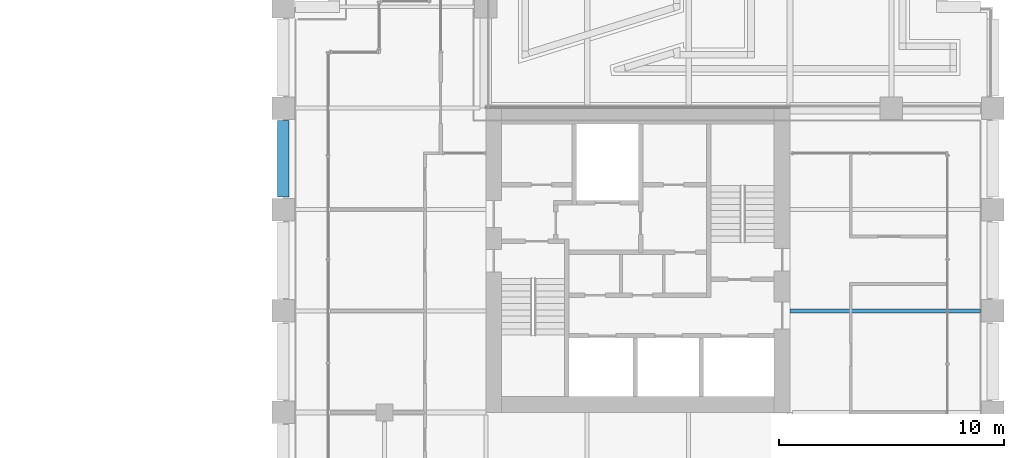
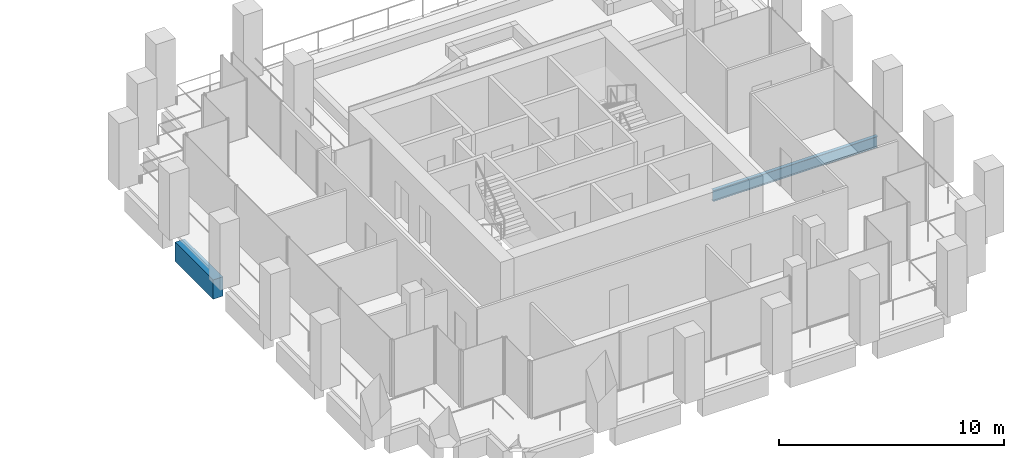
# One storey, part 35 of 52: 2 beams.
"""IFC4 building model written with IfcOpenShell, lengths in metres."""

from ifc_helpers import new_model, si_unit, direction, frame, origin, origin_2d, place, context, subcontext, project, spatial, rectangle, i_section, extrude, material, material_profile, profile_set, type_object, element, save


model = new_model("IFC4")

# Units and contexts
model_context = context("Model", 3, precision=1e-05, world=origin(), true_north=direction((0.0, 1.0)))
body_context = subcontext(model_context, "Body", "Model", "MODEL_VIEW")
ifc_project = project(units=[si_unit("LENGTHUNIT", "METRE"), si_unit("AREAUNIT", "SQUARE_METRE"), si_unit("VOLUMEUNIT", "CUBIC_METRE"), si_unit("PLANEANGLEUNIT", "RADIAN"), si_unit("MASSUNIT", "GRAM", prefix="KILO")], contexts=[model_context])

# Site, building, storey
site_placement = place(None, origin())
site = spatial("IfcSite", under=ifc_project, at=site_placement, CompositionType="ELEMENT")
building_placement = place(site_placement, origin())
building = spatial("IfcBuilding", under=site, at=building_placement, Name="Altepetl Exchange Towers", CompositionType="ELEMENT")
storey_placement = place(building_placement, frame((0.0, 0.0, 92.0)))
storey = spatial("IfcBuildingStorey", under=building, at=storey_placement, Name="L22", CompositionType="ELEMENT", Elevation=92.0)

# Beams
ifc_material_1 = material(Name="Steel S355", Category="steel")
ifc_material_profile_1 = material_profile(ifc_material_1, i_section(OverallWidth=0.177978515625, OverallDepth=0.59912109375, WebThickness=0.010009765625, FlangeThickness=0.0126953125, at=origin_2d()), Name="W24X55")
ifc_profile_set_1 = profile_set([ifc_material_profile_1], Name="Steel S355")
beam_type_1 = type_object("IfcBeamType", Name="Floor beam W24X55", PredefinedType="BEAM", material=ifc_profile_set_1)
beam_1_placement = place(storey_placement, frame((117.0, 40.5, -0.449462890625), z_axis=(1.0, 0.0, 0.0), x_axis=(0.0, 1.0, 0.0)))
element("IfcBeam", 1, at=beam_1_placement, inside=storey, type_object=beam_type_1, Name="bm:B:L22:002", PredefinedType="BEAM", context=body_context, shape_type="SweptSolid", body=[
    extrude(i_section(OverallWidth=0.177978515625, OverallDepth=0.59912109375, WebThickness=0.010009765625, FlangeThickness=0.0126953125, at=origin_2d()), origin(), (0.0, 0.0, 1.0), 8.449951171875),
])
ifc_material_2 = material(Name="Concrete C50/60 precast with cantera rosa facing", Category="concrete")
ifc_material_profile_2 = material_profile(ifc_material_2, rectangle(XDim=0.5, YDim=1.050048828125, at=origin_2d()), Name="500 x 1050")
ifc_profile_set_2 = profile_set([ifc_material_profile_2], Name="Concrete C50/60 precast with cantera rosa facing")
beam_type_2 = type_object("IfcBeamType", Name="Spandrel beam 500x1050 cantera rosa", PredefinedType="SPANDREL", material=ifc_profile_set_2)
beam_2_placement = place(storey_placement, frame((94.5, 48.949951171875, -0.675048828125), z_axis=(0.0, -1.0, 0.0), x_axis=(1.0, 0.0, 0.0)))
element("IfcBeam", 2, at=beam_2_placement, inside=storey, type_object=beam_type_2, Name="sp:B:L22:023", PredefinedType="SPANDREL", context=body_context, shape_type="SweptSolid", body=[
    extrude(rectangle(XDim=0.5, YDim=1.050048828125, at=origin_2d()), origin(), (0.0, 0.0, 1.0), 3.39990234375),
])

save(model, "model.ifc")
